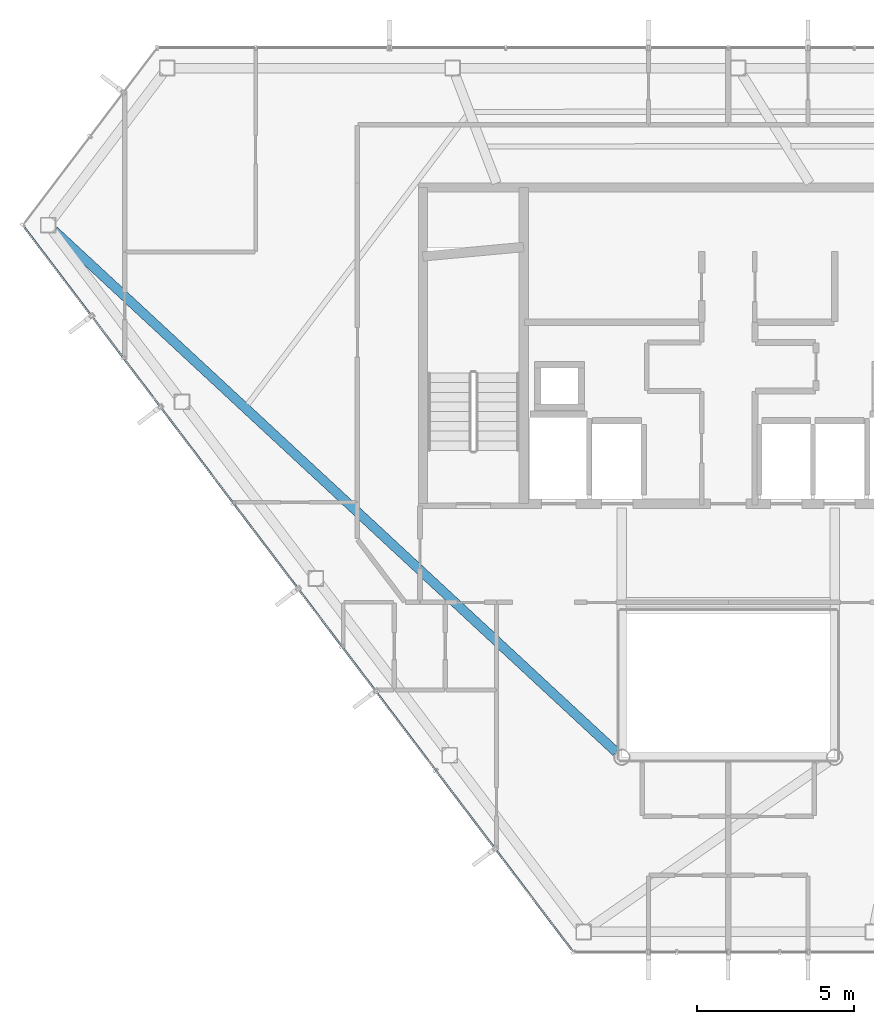
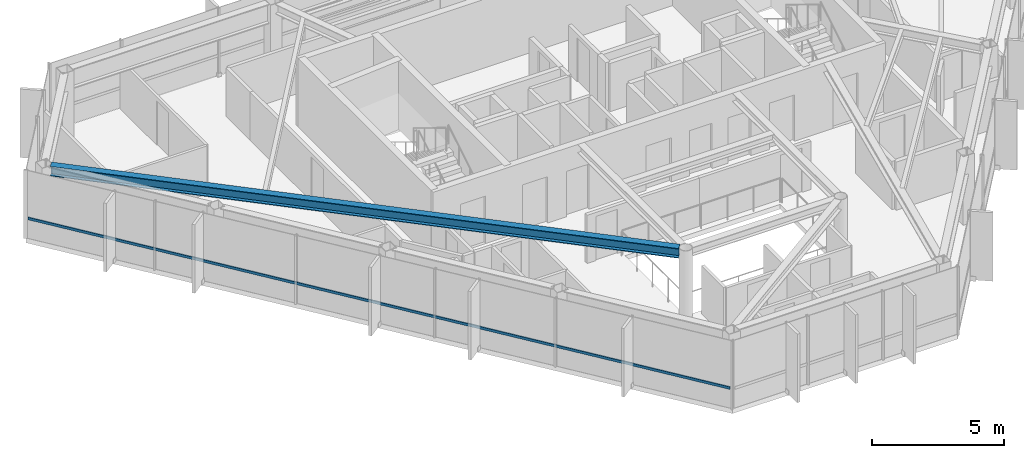
# One storey, part 4 of 26: 1 beam, 1 member, 1 element without a shape of its own.
"""IFC4 building model written with IfcOpenShell, lengths in metres."""

from ifc_helpers import new_model, si_unit, direction, frame, origin, origin_2d, place, context, subcontext, project, spatial, hollow_rectangle, i_section, extrude, material, layer, layer_set, material_profile, profile_set, type_object, element, aggregate, save


model = new_model("IFC4")

# Units and contexts
model_context = context("Model", 3, precision=1e-05, world=origin(), true_north=direction((0.0, 1.0)))
body_context = subcontext(model_context, "Body", "Model", "MODEL_VIEW")
ifc_project = project(units=[si_unit("LENGTHUNIT", "METRE"), si_unit("AREAUNIT", "SQUARE_METRE"), si_unit("VOLUMEUNIT", "CUBIC_METRE"), si_unit("PLANEANGLEUNIT", "RADIAN"), si_unit("MASSUNIT", "GRAM", prefix="KILO")], contexts=[model_context])

# Site, building, storey
site_placement = place(None, origin())
site = spatial("IfcSite", under=ifc_project, at=site_placement, CompositionType="ELEMENT")
building_placement = place(site_placement, origin())
building = spatial("IfcBuilding", under=site, at=building_placement, Name="Zarrinselat Tower", CompositionType="ELEMENT")
storey_placement = place(building_placement, frame((0.0, 0.0, 258.39990234375)))
storey = spatial("IfcBuildingStorey", under=building, at=storey_placement, Name="L65", CompositionType="ELEMENT", Elevation=258.39990234375)

# Beam
ifc_material_1 = material(Name="Steel S355J2", Category="steel")
ifc_material_profile_1 = material_profile(ifc_material_1, i_section(OverallWidth=0.300048828125, OverallDepth=0.449951171875, WebThickness=0.013916015625, FlangeThickness=0.02587890625, at=origin_2d()), Name="HEB 450")
ifc_profile_set_1 = profile_set([ifc_material_profile_1], Name="Steel S355J2")
beam_type = type_object("IfcBeamType", Name="BM-HEB450", PredefinedType="BEAM", material=ifc_profile_set_1)
beam_placement = place(storey_placement, frame((16.860107421875, 42.028076171875, 2.955078125), z_axis=(0.733118598198, -0.680100816773, 0.0), x_axis=(0.680100816773, 0.733118598198, 0.0)))
element("IfcBeam", 1, at=beam_placement, inside=storey, type_object=beam_type, Name="L65 Radial Primary Girder RG06", PredefinedType="BEAM", context=body_context, shape_type="SweptSolid", body=[
    extrude(i_section(OverallWidth=0.300048828125, OverallDepth=0.449951171875, WebThickness=0.013916015625, FlangeThickness=0.02587890625, at=origin_2d()), origin(), (0.0, 0.0, 1.0), 24.493408203125),
])

# Curtain wall, member
ifc_material_2 = material(Name="Extruded Aluminium Alloy EN AW-6063 T6", Category="aluminium")
ifc_layer = layer(ifc_material_2, 0.169921875)
ifc_layer_set = layer_set([ifc_layer], Name="Extruded Aluminium Alloy EN AW-6063 T6")
curtain_wall_type = type_object("IfcCurtainWallType", Name="CWS-RES", PredefinedType="NOTDEFINED", material=ifc_layer_set)
curtain_wall_placement = place(storey_placement, origin())
curtain_wall = element("IfcCurtainWall", 2, at=curtain_wall_placement, inside=storey, type_object=curtain_wall_type, Name="L65 Unitised Curtain Wall CW-L65-E03", PredefinedType="NOTDEFINED")
ifc_material_3 = material(Name="Extruded Aluminium Alloy EN AW-6063 T6", Category="aluminium")
ifc_material_profile_2 = material_profile(ifc_material_3, hollow_rectangle(XDim=0.06005859375, YDim=0.1201171875, WallThickness=0.00390625, at=origin_2d()), Name="RHS 120x60x4")
ifc_profile_set_2 = profile_set([ifc_material_profile_2], Name="Extruded Aluminium Alloy EN AW-6063 T6")
member_type = type_object("IfcMemberType", Name="MEM-CW-TRN2", PredefinedType="USERDEFINED", material=ifc_profile_set_2)
member_placement = place(storey_placement, frame((15.914306640625, 42.127685546875, 0.9501953125), z_axis=(0.603861258611, -0.79708944313, 0.0), x_axis=(0.79708944313, 0.603861258611, 0.0)))
member = element("IfcMember", 3, at=member_placement, type_object=member_type, Name="CW-L65-E03 Transom 1", ObjectType="TRANSOM", PredefinedType="USERDEFINED", context=body_context, shape_type="SweptSolid", body=[
    extrude(hollow_rectangle(XDim=0.06005859375, YDim=0.1201171875, WallThickness=0.00390625, at=origin_2d()), origin(), (0.0, 0.0, 1.0), 28.961669921875),
])
aggregate(curtain_wall, [member])

save(model, "model.ifc")
